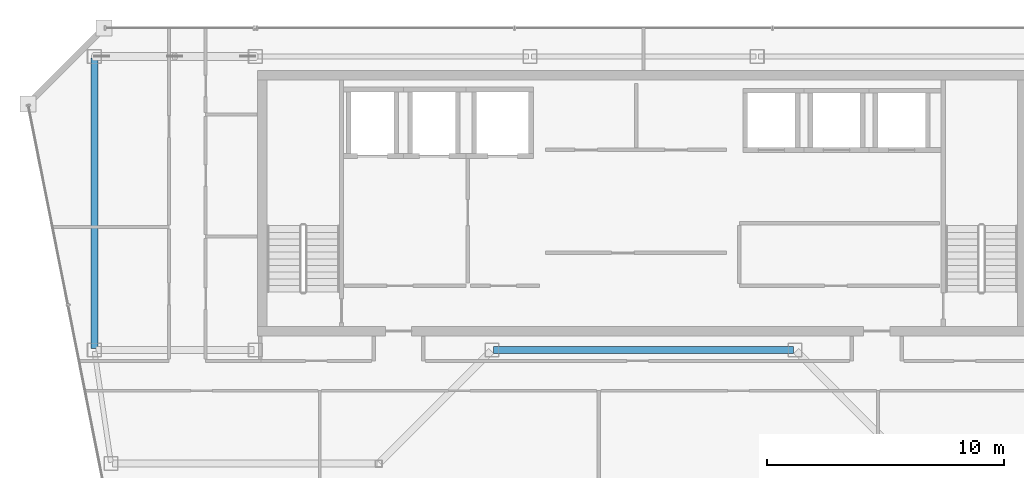
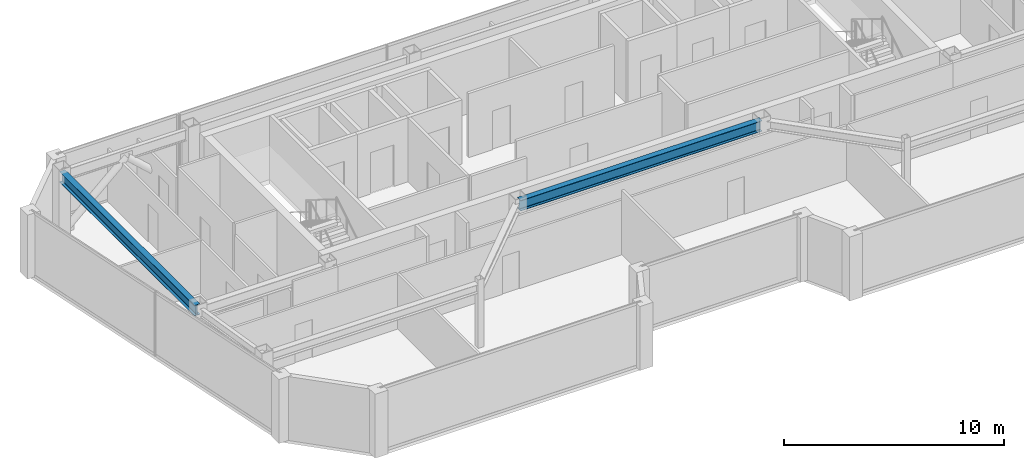
# One storey, part 8 of 23: 2 beams.
"""IFC4 building model written with IfcOpenShell, lengths in metres."""

from ifc_helpers import new_model, si_unit, direction, frame, origin, origin_2d, place, context, subcontext, project, spatial, i_section, extrude, material, material_profile, profile_set, type_object, element, save


model = new_model("IFC4")

# Units and contexts
model_context = context("Model", 3, precision=1e-05, world=origin(), true_north=direction((0.0, 1.0)))
body_context = subcontext(model_context, "Body", "Model", "MODEL_VIEW")
ifc_project = project(units=[si_unit("LENGTHUNIT", "METRE"), si_unit("AREAUNIT", "SQUARE_METRE"), si_unit("VOLUMEUNIT", "CUBIC_METRE"), si_unit("PLANEANGLEUNIT", "RADIAN"), si_unit("MASSUNIT", "GRAM", prefix="KILO")], contexts=[model_context])

# Site, building, storey
site_placement = place(None, origin())
site = spatial("IfcSite", under=ifc_project, at=site_placement, CompositionType="ELEMENT")
building_placement = place(site_placement, origin())
building = spatial("IfcBuilding", under=site, at=building_placement, Name="Saevonmaru Cultural Tower", CompositionType="ELEMENT")
storey_placement = place(building_placement, frame((0.0, 0.0, 302.800048828125)))
storey = spatial("IfcBuildingStorey", under=building, at=storey_placement, Name="L72", CompositionType="ELEMENT", Elevation=302.800048828125)

# Beams
ifc_material = material(Name="Steel SM355", Category="steel")
ifc_material_profile = material_profile(ifc_material, i_section(OverallWidth=0.300048828125, OverallDepth=0.587890625, WebThickness=0.011962890625, FlangeThickness=0.02001953125, FilletRadius=0.02392578125, at=origin_2d()), Name="H-588x300x12x20")
ifc_profile_set = profile_set([ifc_material_profile], Name="Steel SM355")
beam_type = type_object("IfcBeamType", Name="BM-G-H588", PredefinedType="BEAM", material=ifc_profile_set)
beam_1_placement = place(storey_placement, frame((23.659912109375, 42.39990234375, 3.255859375), z_axis=(1.0, 0.0, 0.0), x_axis=(0.0, 1.0, 0.0)))
element("IfcBeam", 1, at=beam_1_placement, inside=storey, type_object=beam_type, Name="L72 Core South Girder 3", PredefinedType="BEAM", context=body_context, shape_type="SweptSolid", body=[
    extrude(i_section(OverallWidth=0.300048828125, OverallDepth=0.587890625, WebThickness=0.011962890625, FlangeThickness=0.02001953125, FilletRadius=0.02392578125, at=origin_2d()), origin(), (0.0, 0.0, 1.0), 12.68017578125),
])
beam_2_placement = place(storey_placement, frame((6.800048828125, 54.739990234375, 3.255859375), z_axis=(0.0, -1.0, 0.0), x_axis=(1.0, 0.0, 0.0)))
element("IfcBeam", 2, at=beam_2_placement, inside=storey, type_object=beam_type, Name="L72 Spine Transverse Girder W", PredefinedType="BEAM", context=body_context, shape_type="SweptSolid", body=[
    extrude(i_section(OverallWidth=0.300048828125, OverallDepth=0.587890625, WebThickness=0.011962890625, FlangeThickness=0.02001953125, FilletRadius=0.02392578125, at=origin_2d()), origin(), (0.0, 0.0, 1.0), 12.280029296875),
])

save(model, "model.ifc")
